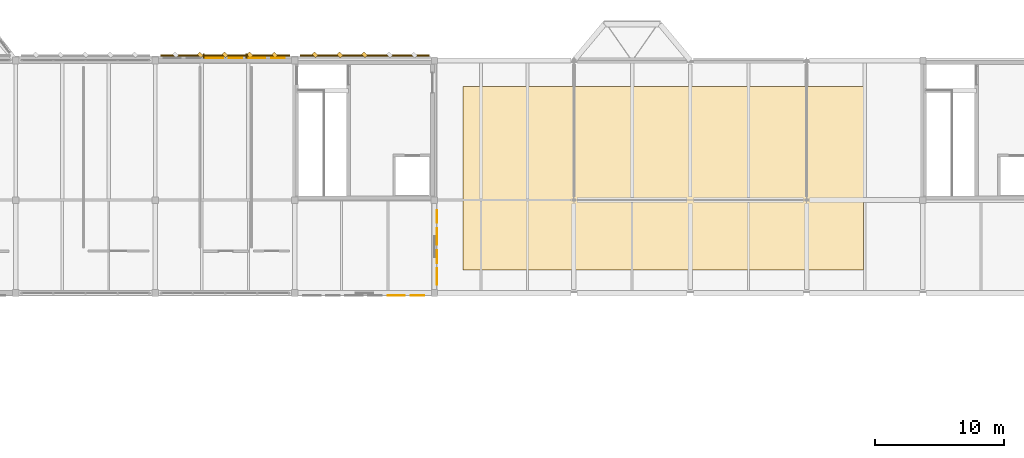
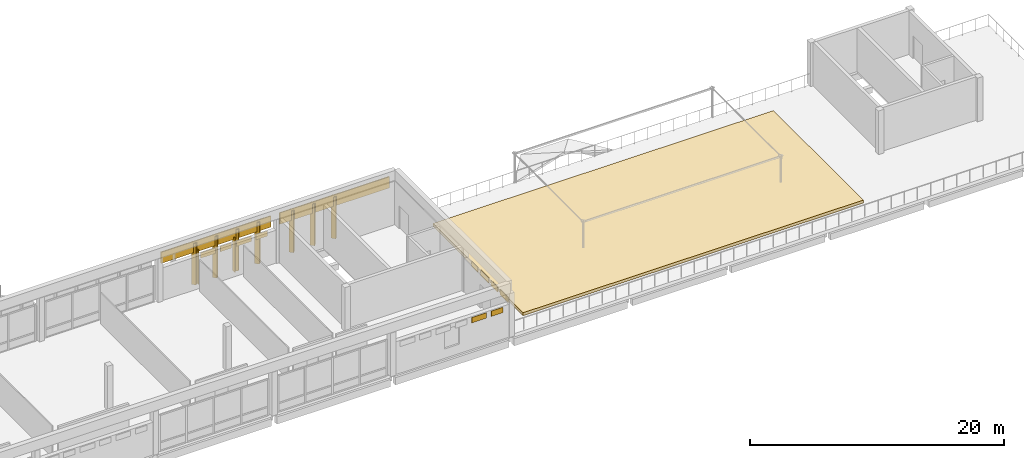
# One storey, part 32 of 33: 22 coverings.
"""IFC4 building model written with IfcOpenShell, lengths in metres."""

import ifcopenshell
import ifcopenshell.guid

model = None  # the IFC model being written
_history = None  # IfcOwnerHistory: only IFC2X3 demands one
_inside = {}  # id of a spatial element -> (the spatial element, [elements in it])
_under = {}  # id of a project, library or spatial element -> (it, [spatial elements below it])
_declared = {}  # id of a project -> (the project, [libraries it declares])
_typed = {}  # id of a type object -> (the type object, [elements of that type])
_made_of = {}  # id of a material, layer set ... -> (it, [elements and type objects made of it])


def new_model(schema):
    """Start an empty IFC model of exactly this schema.

    Asked for "IFC4X3", IfcOpenShell would pick the latest addendum, in which some entities
    have other attributes; the version numbers below select the first issue.
    IFC2X3 requires an IfcOwnerHistory on every rooted entity: one is made here for all.
    """
    global model, _history
    if schema == "IFC4X3":
        model = ifcopenshell.file(schema_version=(4, 3, 0, 0))
    else:
        model = ifcopenshell.file(schema=schema)
    _inside.clear()
    _under.clear()
    _declared.clear()
    _typed.clear()
    _made_of.clear()
    _history = None
    if model.schema == "IFC2X3":
        org = make("IfcOrganization", Name="unknown")
        user = make(
            "IfcPersonAndOrganization",
            ThePerson=make("IfcPerson", FamilyName="unknown"),
            TheOrganization=org,
        )
        app = make(
            "IfcApplication",
            ApplicationDeveloper=org,
            Version="unknown",
            ApplicationFullName="unknown",
            ApplicationIdentifier="unknown",
        )
        _history = make(
            "IfcOwnerHistory",
            OwningUser=user,
            OwningApplication=app,
            ChangeAction="ADDED",
            CreationDate=0,
        )
    return model


def make(cls, **values):
    """One entity of the class cls with the attributes given. An attribute that is None is left unset."""
    return model.create_entity(
        cls, **{name: value for name, value in values.items() if value is not None}
    )


def rooted(cls, **values):
    """An entity with a GlobalId (a new one), such as an element, a storey or a relation."""
    return make(cls, GlobalId=ifcopenshell.guid.new(), OwnerHistory=_history, **values)


def si_unit(unit_type, name, prefix=None):
    """IfcSIUnit, for example si_unit("LENGTHUNIT", "METRE", prefix="MILLI")."""
    return make("IfcSIUnit", UnitType=unit_type, Prefix=prefix, Name=name)


def assignment(units):
    """IfcUnitAssignment: the units of a project."""
    return None if units is None else make("IfcUnitAssignment", Units=units)


def point(xyz):
    """IfcCartesianPoint."""
    return None if xyz is None else make("IfcCartesianPoint", Coordinates=xyz)


def direction(xyz):
    """IfcDirection."""
    return None if xyz is None else make("IfcDirection", DirectionRatios=xyz)


def frame(location, z_axis=None, x_axis=None):
    """IfcAxis2Placement3D, a coordinate frame: its origin and axes. An axis left out is left unset."""
    return make(
        "IfcAxis2Placement3D",
        Location=point(location),
        Axis=direction(z_axis),
        RefDirection=direction(x_axis),
    )


def frame_2d(location, x_axis=None):
    """IfcAxis2Placement2D, a coordinate frame in the plane: its origin and x axis."""
    return make(
        "IfcAxis2Placement2D", Location=point(location), RefDirection=direction(x_axis)
    )


def origin():
    """The frame at (0, 0, 0) with its axes left unset."""
    return frame((0.0, 0.0, 0.0))


def origin_2d():
    """The frame at (0, 0) in the plane with its x axis left unset."""
    return frame_2d((0.0, 0.0))


def place(relative_to, where):
    """IfcLocalPlacement: puts the frame where relative to a parent placement (None: the world)."""
    return make(
        "IfcLocalPlacement", PlacementRelTo=relative_to, RelativePlacement=where
    )


def context(
    kind, dimensions, precision=None, world=None, true_north=None, identifier=None
):
    """IfcGeometricRepresentationContext, for example the 3D "Model" context."""
    return make(
        "IfcGeometricRepresentationContext",
        ContextIdentifier=identifier,
        ContextType=kind,
        CoordinateSpaceDimension=dimensions,
        Precision=precision,
        WorldCoordinateSystem=world,
        TrueNorth=true_north,
    )


def subcontext(parent, identifier, kind, view, scale=None):
    """IfcGeometricRepresentationSubContext, for example "Body" below "Model"."""
    return make(
        "IfcGeometricRepresentationSubContext",
        ContextIdentifier=identifier,
        ContextType=kind,
        ParentContext=parent,
        TargetScale=scale,
        TargetView=view,
    )


def project(units=None, contexts=None):
    """IfcProject with its units and contexts."""
    return rooted(
        "IfcProject",
        Name="project",
        RepresentationContexts=contexts,
        UnitsInContext=assignment(units),
    )


def spatial(cls, under=None, at=None, **own):
    """A site, building, storey or space (cls), placed at a placement, below another one or the project."""
    s = rooted(cls, ObjectPlacement=at, **own)
    if under is not None:
        _under.setdefault(under.id(), (under, []))[1].append(s)
    return s


def polyline(points):
    """IfcPolyline through the points."""
    return make("IfcPolyline", Points=[point(p) for p in points])


def profile(cls, at=None, kind="AREA", **sizes):
    """A parametric profile (cls). Its sizes go by their IFC names, for example OverallWidth=200.0."""
    return make(cls, ProfileType=kind, Position=at, **sizes)


def rectangle(**sizes):
    """IfcRectangleProfileDef."""
    return profile("IfcRectangleProfileDef", **sizes)


def outline(outer, holes=None, kind="AREA"):
    """IfcArbitraryClosedProfileDef: a profile drawn as a closed curve; with holes, ...WithVoids."""
    if holes is None:
        return make("IfcArbitraryClosedProfileDef", ProfileType=kind, OuterCurve=outer)
    return make(
        "IfcArbitraryProfileDefWithVoids",
        ProfileType=kind,
        OuterCurve=outer,
        InnerCurves=holes,
    )


def extrude(swept, where, along, depth):
    """IfcExtrudedAreaSolid: the profile swept, set in the frame where, extruded along a direction by depth."""
    return make(
        "IfcExtrudedAreaSolid",
        SweptArea=swept,
        Position=where,
        ExtrudedDirection=direction(along),
        Depth=depth,
    )


def shape(context_of_items, identifier, shape_type, items):
    """IfcShapeRepresentation: the items that make up one representation, for example the "Body"."""
    return make(
        "IfcShapeRepresentation",
        ContextOfItems=context_of_items,
        RepresentationIdentifier=identifier,
        RepresentationType=shape_type,
        Items=items,
    )


def material(Name=None, Category=None):
    """IfcMaterial."""
    return make("IfcMaterial", Name=Name, Category=Category)


def layer(
    of_material, thickness, ventilated=None, Name=None, Category=None, Priority=None
):
    """IfcMaterialLayer: one layer of a wall or slab, of a material (None: an air gap)."""
    return make(
        "IfcMaterialLayer",
        Material=of_material,
        LayerThickness=thickness,
        IsVentilated=ventilated,
        Name=Name,
        Category=Category,
        Priority=Priority,
    )


def layer_set(layers, Name=None):
    """IfcMaterialLayerSet."""
    return make("IfcMaterialLayerSet", MaterialLayers=layers, LayerSetName=Name)


def made_of(thing, what):
    """Note that an element or type object is made of a material, layer set ...; save() writes the relation."""
    if what is not None:
        _made_of.setdefault(what.id(), (what, []))[1].append(thing)
    return thing


def type_object(cls, material=None, **own):
    """A type object (cls), such as IfcWallType, which elements share."""
    return made_of(rooted(cls, **own), material)


def element(
    cls,
    number,
    at=None,
    inside=None,
    cuts=None,
    type_object=None,
    material=None,
    context=None,
    identifier="Body",
    shape_type=None,
    held_by="IfcProductDefinitionShape",
    body=None,
    shapes=None,
    **own,
):
    """One element of the class cls, such as IfcWall. Its Tag is "e" and its number.

    at: its placement. inside: the storey or other place that contains it. cuts: it is an
    opening in that element (IfcRelVoidsElement). A single representation is given by context,
    identifier, shape_type and body (its items); several are given by shapes. held_by: the class
    of the entity that holds the representations. save() writes the other relations.
    """
    e = rooted(cls, Tag="e%d" % number, ObjectPlacement=at, **own)
    if body is not None:
        shapes = [shape(context, identifier, shape_type, body)]
    if shapes is not None:
        e.Representation = make(held_by, Representations=shapes)
    if inside is not None:
        _inside.setdefault(inside.id(), (inside, []))[1].append(e)
    if cuts is not None:
        rooted(
            "IfcRelVoidsElement", RelatingBuildingElement=cuts, RelatedOpeningElement=e
        )
    if type_object is not None:
        _typed.setdefault(type_object.id(), (type_object, []))[1].append(e)
    return made_of(e, material)


def aggregate(whole, parts):
    """IfcRelAggregates: a whole, such as a stair, and the parts it consists of."""
    return rooted("IfcRelAggregates", RelatingObject=whole, RelatedObjects=parts)


def save(model, path):
    """Write the relations noted so far, then the file.

    IfcRelAggregates (storeys below a building ...), IfcRelContainedInSpatialStructure (elements
    in a storey), IfcRelDefinesByType, IfcRelAssociatesMaterial and IfcRelDeclares: one each for
    every whole, place, type object, material and project.
    """
    for whole, parts in _under.values():
        aggregate(whole, parts)
    for where, things in _inside.values():
        rooted(
            "IfcRelContainedInSpatialStructure",
            RelatedElements=things,
            RelatingStructure=where,
        )
    for kind, things in _typed.values():
        rooted("IfcRelDefinesByType", RelatedObjects=things, RelatingType=kind)
    for what, things in _made_of.values():
        rooted("IfcRelAssociatesMaterial", RelatedObjects=things, RelatingMaterial=what)
    for by, libraries in _declared.values():
        rooted("IfcRelDeclares", RelatingContext=by, RelatedDefinitions=libraries)
    model.write(path)


model = new_model("IFC4")

# Units and contexts
model_context = context("Model", 3, precision=1e-05, world=origin(), true_north=direction((0.0, 1.0)))
body_context = subcontext(model_context, "Body", "Model", "MODEL_VIEW")
ifc_project = project(units=[si_unit("LENGTHUNIT", "METRE"), si_unit("AREAUNIT", "SQUARE_METRE"), si_unit("VOLUMEUNIT", "CUBIC_METRE"), si_unit("PLANEANGLEUNIT", "RADIAN"), si_unit("MASSUNIT", "GRAM", prefix="KILO")], contexts=[model_context])

# Site, building, storey
site_placement = place(None, origin())
site = spatial("IfcSite", under=ifc_project, at=site_placement, CompositionType="ELEMENT")
building_placement = place(site_placement, origin())
building = spatial("IfcBuilding", under=site, at=building_placement, Name="Lusvemor Sports Hall", CompositionType="ELEMENT")
storey_placement = place(building_placement, frame((0.0, 0.0, 19.199951171875)))
storey = spatial("IfcBuildingStorey", under=building, at=storey_placement, Name="L04", CompositionType="ELEMENT", Elevation=19.199951171875)

# Coverings
ifc_material_1 = material(Name="Emerald polychrome glazed ceramic cladding on Concrete C40/50 backing", Category="concrete")
ifc_layer_1 = layer(ifc_material_1, 0.0458984375)
ifc_layer_set_1 = layer_set([ifc_layer_1], Name="Emerald polychrome glazed ceramic cladding on Concrete C40/50 backing")
covering_type_1 = type_object("IfcCoveringType", Name="CLAD_WAVE_EMERALD", PredefinedType="CLADDING", material=ifc_layer_set_1)
for number, where, z_axis, x_axis, name in (
    (1, (47.783203125, 115.39794921875, 2.56494140625), (0.0, 0.0, 1.0), (1.0, 0.0, 0.0), "Art Nouveau Patterned Cladding PS-EW-L04-N-1-4-3"),
    (2, (51.050048828125, 115.39794921875, 2.56494140625), (0.0, 0.0, 1.0), (1.0, 0.0, 0.0), "Art Nouveau Patterned Cladding PS-EW-L04-N-1-4-5"),
):
    element("IfcCovering", number, at=place(storey_placement, frame(where, z_axis=z_axis, x_axis=x_axis)), inside=storey, type_object=covering_type_1, Name=name, PredefinedType="CLADDING", context=body_context, shape_type="SweptSolid", body=[
        extrude(rectangle(XDim=1.33935546875, YDim=0.0458984375, at=origin_2d()), origin(), (0.0, 0.0, 1.0), 0.510009765625),
    ])
for number, where, z_axis, x_axis, name in (
    (3, (64.998046875, 98.47509765625, 2.6552734375), (0.0, 0.0, 1.0), (1.0, 0.0, 0.0), "Art Nouveau Patterned Cladding PS-EW-L04-E-2-0-1"),
    (4, (64.998046875, 101.574951171875, 2.6552734375), (0.0, 0.0, 1.0), (1.0, 0.0, 0.0), "Art Nouveau Patterned Cladding PS-EW-L04-E-2-0-3"),
):
    element("IfcCovering", number, at=place(storey_placement, frame(where, z_axis=z_axis, x_axis=x_axis)), inside=storey, type_object=covering_type_1, Name=name, PredefinedType="CLADDING", context=body_context, shape_type="SweptSolid", body=[
        extrude(rectangle(XDim=0.0458984375, YDim=1.27099609375, at=origin_2d()), origin(), (0.0, 0.0, 1.0), 0.510009765625),
    ])
covering_1_placement = place(storey_placement, frame((61.85009765625, 97.001953125, 2.56494140625), z_axis=(0.0, 0.0, 1.0), x_axis=(1.0, 0.0, 0.0)))
element("IfcCovering", 5, at=covering_1_placement, inside=storey, type_object=covering_type_1, Name="Art Nouveau Patterned Cladding PS-EW-L04-S-3-5-5", PredefinedType="CLADDING", context=body_context, shape_type="SweptSolid", body=[
    extrude(rectangle(XDim=1.33935546875, YDim=0.0458984375, at=origin_2d()), origin(), (0.0, 0.0, 1.0), 0.510009765625),
])
for number, where, z_axis, x_axis, name in (
    (6, (46.679931640625, 115.639892578125, 0.10009765625), (0.0, 0.0, 1.0), (0.707106781187, 0.707106781187, 0.0), "Patterned Diamond Cladding Rib 642"),
    (7, (50.52001953125, 115.639892578125, 0.10009765625), (0.0, 0.0, 1.0), (0.707106781187, 0.707106781187, 0.0), "Patterned Diamond Cladding Rib 644"),
    (8, (57.47998046875, 115.639892578125, 0.10009765625), (0.0, 0.0, 1.0), (0.707106781187, 0.707106781187, 0.0), "Patterned Diamond Cladding Rib 672"),
):
    element("IfcCovering", number, at=place(storey_placement, frame(where, z_axis=z_axis, x_axis=x_axis)), inside=storey, type_object=covering_type_1, Name=name, PredefinedType="CLADDING", context=body_context, shape_type="SweptSolid", body=[
        extrude(rectangle(XDim=0.280029296875, YDim=0.3798828125, at=origin_2d()), origin(), (0.0, 0.0, 1.0), 4.0),
    ])
ifc_material_2 = material(Name="Warm terracotta Art Nouveau ceramic cladding on Concrete C40/50 backing", Category="masonry")
ifc_layer_2 = layer(ifc_material_2, 0.0380859375)
ifc_layer_set_2 = layer_set([ifc_layer_2], Name="Warm terracotta Art Nouveau ceramic cladding on Concrete C40/50 backing")
covering_type_2 = type_object("IfcCoveringType", Name="CLAD_WAVE_OCHRE", PredefinedType="CLADDING", material=ifc_layer_set_2)
for number, where, z_axis, x_axis, name in (
    (9, (49.416748046875, 115.39404296875, 2.56494140625), (0.0, 0.0, 1.0), (1.0, 0.0, 0.0), "Art Nouveau Patterned Cladding PS-EW-L04-N-1-4-4"),
    (10, (52.683349609375, 115.39404296875, 2.56494140625), (0.0, 0.0, 1.0), (1.0, 0.0, 0.0), "Art Nouveau Patterned Cladding PS-EW-L04-N-1-4-6"),
):
    element("IfcCovering", number, at=place(storey_placement, frame(where, z_axis=z_axis, x_axis=x_axis)), inside=storey, type_object=covering_type_2, Name=name, PredefinedType="CLADDING", context=body_context, shape_type="SweptSolid", body=[
        extrude(rectangle(XDim=1.04541015625, YDim=0.0380859375, at=origin_2d()), origin(), (0.0, 0.0, 1.0), 0.510009765625),
    ])
for number, where, z_axis, x_axis, name in (
    (11, (64.993896484375, 100.02490234375, 2.6552734375), (0.0, 0.0, 1.0), (1.0, 0.0, 0.0), "Art Nouveau Patterned Cladding PS-EW-L04-E-2-0-2"),
    (12, (64.993896484375, 103.125, 2.6552734375), (0.0, 0.0, 1.0), (1.0, 0.0, 0.0), "Art Nouveau Patterned Cladding PS-EW-L04-E-2-0-4"),
):
    element("IfcCovering", number, at=place(storey_placement, frame(where, z_axis=z_axis, x_axis=x_axis)), inside=storey, type_object=covering_type_2, Name=name, PredefinedType="CLADDING", context=body_context, shape_type="SweptSolid", body=[
        extrude(rectangle(XDim=0.0380859375, YDim=0.991943359375, at=origin_2d()), origin(), (0.0, 0.0, 1.0), 0.510009765625),
    ])
covering_2_placement = place(storey_placement, frame((63.4833984375, 97.006103515625, 2.56494140625), z_axis=(0.0, 0.0, 1.0), x_axis=(1.0, 0.0, 0.0)))
element("IfcCovering", 13, at=covering_2_placement, inside=storey, type_object=covering_type_2, Name="Art Nouveau Patterned Cladding PS-EW-L04-S-3-5-6", PredefinedType="CLADDING", context=body_context, shape_type="SweptSolid", body=[
    extrude(rectangle(XDim=1.04541015625, YDim=0.0380859375, at=origin_2d()), origin(), (0.0, 0.0, 1.0), 0.510009765625),
])
for number, where, z_axis, x_axis, name in (
    (14, (48.60009765625, 115.590087890625, 3.179931640625), (0.0, 0.0, 1.0), (1.0, 0.0, 0.0), "Art Nouveau Spandrel Cornice 640"),
    (15, (59.39990234375, 115.590087890625, 3.179931640625), (0.0, 0.0, 1.0), (1.0, 0.0, 0.0), "Art Nouveau Spandrel Cornice 670"),
):
    element("IfcCovering", number, at=place(storey_placement, frame(where, z_axis=z_axis, x_axis=x_axis)), inside=storey, type_object=covering_type_2, Name=name, PredefinedType="CLADDING", context=body_context, shape_type="SweptSolid", body=[
        extrude(rectangle(XDim=9.97998046875, YDim=0.090087890625, at=origin_2d()), origin(), (0.0, 0.0, 1.0), 1.080078125),
    ])
ifc_material_3 = material(Name="Planted coastal botanical green roof garden bed")
ifc_layer_3 = layer(ifc_material_3, 0.280029296875)
ifc_layer_set_3 = layer_set([ifc_layer_3], Name="Planted coastal botanical green roof garden bed")
covering_type_3 = type_object("IfcCoveringType", Name="COV_GARDEN_BED", PredefinedType="ROOFING", material=ifc_layer_set_3)
covering_3_placement = place(storey_placement, origin())
element("IfcCovering", 16, at=covering_3_placement, inside=storey, type_object=covering_type_3, Name="Planted Coastal Roof Garden Bed 6", PredefinedType="ROOFING", context=body_context, shape_type="SweptSolid", body=[
    extrude(outline(polyline([(67.0, 99.0), (98.0, 99.0), (98.0, 113.199951171875), (67.0, 113.199951171875), (67.0, 99.0)])), origin(), (0.0, 0.0, 1.0), 0.280029296875),
])
ifc_material_4 = material(Name="Emerald polychrome glazed ceramic cladding on Concrete C40/50 backing", Category="concrete")
ifc_layer_4 = layer(ifc_material_4, 0.35009765625)
ifc_layer_set_4 = layer_set([ifc_layer_4], Name="Emerald polychrome glazed ceramic cladding on Concrete C40/50 backing")
covering_type_4 = type_object("IfcCoveringType", Name="FIN_BRISE_CER_350", PredefinedType="MOLDING", material=ifc_layer_set_4)
for number, where, z_axis, x_axis, name in (
    (17, (46.93994140625, 115.56005859375, 0.10009765625), (0.0, 0.0, 1.0), (1.0, 0.0, 0.0), "Wing Brise-Soleil Fin L04-N-1-4-1"),
    (18, (50.260009765625, 115.56005859375, 0.10009765625), (0.0, 0.0, 1.0), (1.0, 0.0, 0.0), "Wing Brise-Soleil Fin L04-N-1-4-2"),
):
    element("IfcCovering", number, at=place(storey_placement, frame(where, z_axis=z_axis, x_axis=x_axis)), inside=storey, type_object=covering_type_4, Name=name, PredefinedType="MOLDING", context=body_context, shape_type="SweptSolid", body=[
        extrude(rectangle(XDim=0.080078125, YDim=0.35009765625, at=origin_2d()), origin(), (0.0, 0.0, 1.0), 3.320068359375),
    ])
ifc_material_5 = material(Name="Warm terracotta Art Nouveau ceramic cladding on Concrete C40/50 backing", Category="masonry")
ifc_layer_5 = layer(ifc_material_5, 0.449951171875)
ifc_layer_set_5 = layer_set([ifc_layer_5], Name="Warm terracotta Art Nouveau ceramic cladding on Concrete C40/50 backing")
covering_type_5 = type_object("IfcCoveringType", Name="FIN_BRISE_CER_450", PredefinedType="MOLDING", material=ifc_layer_set_5)
for number, where, z_axis, x_axis, name in (
    (19, (48.60009765625, 115.639892578125, 0.10009765625), (0.0, 0.0, 1.0), (0.707106781187, 0.707106781187, 0.0), "Patterned Diamond Cladding Rib 643"),
    (20, (52.43994140625, 115.639892578125, 0.10009765625), (0.0, 0.0, 1.0), (0.707106781187, 0.707106781187, 0.0), "Patterned Diamond Cladding Rib 645"),
    (21, (55.56005859375, 115.639892578125, 0.10009765625), (0.0, 0.0, 1.0), (0.707106781187, 0.707106781187, 0.0), "Patterned Diamond Cladding Rib 671"),
    (22, (59.39990234375, 115.639892578125, 0.10009765625), (0.0, 0.0, 1.0), (0.707106781187, 0.707106781187, 0.0), "Patterned Diamond Cladding Rib 673"),
):
    element("IfcCovering", number, at=place(storey_placement, frame(where, z_axis=z_axis, x_axis=x_axis)), inside=storey, type_object=covering_type_5, Name=name, PredefinedType="MOLDING", context=body_context, shape_type="SweptSolid", body=[
        extrude(rectangle(XDim=0.280029296875, YDim=0.3798828125, at=origin_2d()), origin(), (0.0, 0.0, 1.0), 4.0),
    ])

save(model, "model.ifc")
